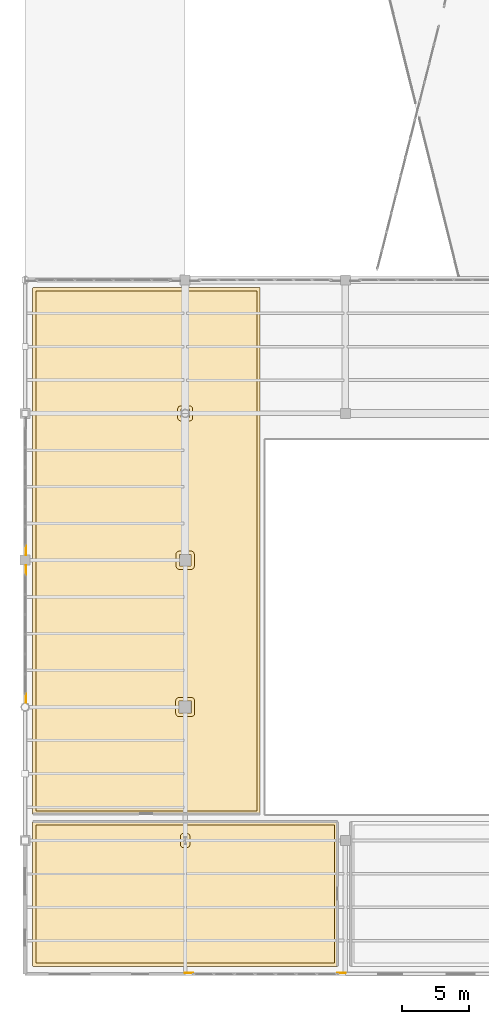
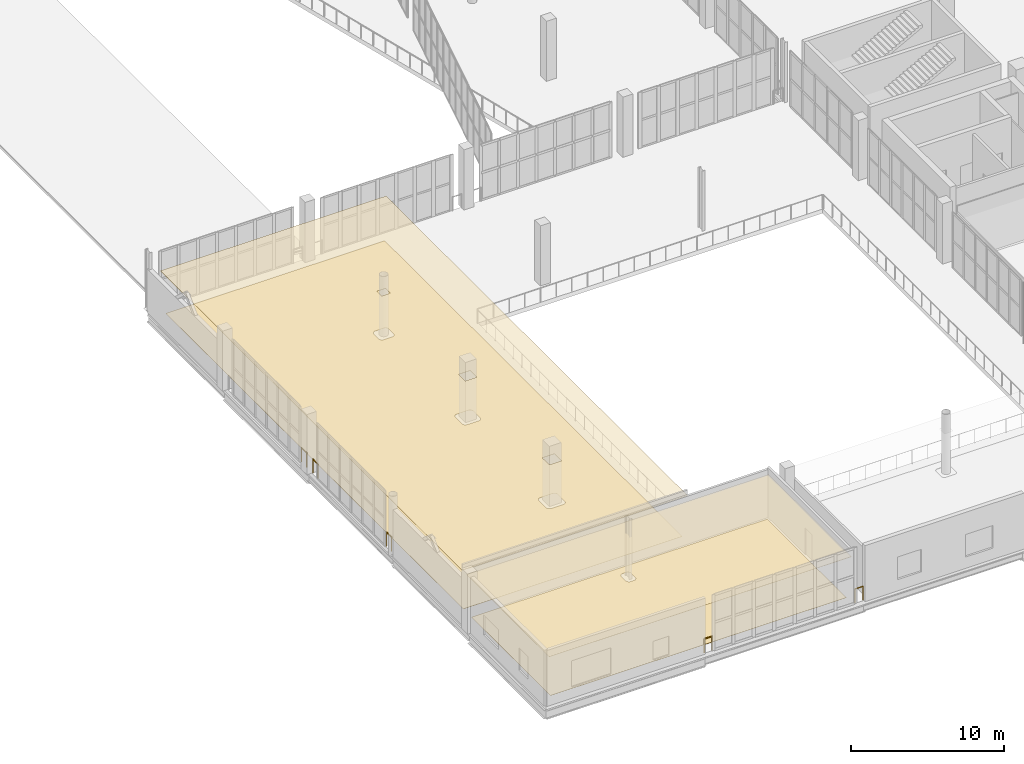
# One storey, part 120 of 136: 5 railings, 4 coverings.
"""IFC4 building model written with IfcOpenShell, lengths in metres."""

import ifcopenshell
import ifcopenshell.guid

model = None  # the IFC model being written
_history = None  # IfcOwnerHistory: only IFC2X3 demands one
_inside = {}  # id of a spatial element -> (the spatial element, [elements in it])
_under = {}  # id of a project, library or spatial element -> (it, [spatial elements below it])
_declared = {}  # id of a project -> (the project, [libraries it declares])
_typed = {}  # id of a type object -> (the type object, [elements of that type])
_made_of = {}  # id of a material, layer set ... -> (it, [elements and type objects made of it])


def new_model(schema):
    """Start an empty IFC model of exactly this schema.

    Asked for "IFC4X3", IfcOpenShell would pick the latest addendum, in which some entities
    have other attributes; the version numbers below select the first issue.
    IFC2X3 requires an IfcOwnerHistory on every rooted entity: one is made here for all.
    """
    global model, _history
    if schema == "IFC4X3":
        model = ifcopenshell.file(schema_version=(4, 3, 0, 0))
    else:
        model = ifcopenshell.file(schema=schema)
    _inside.clear()
    _under.clear()
    _declared.clear()
    _typed.clear()
    _made_of.clear()
    _history = None
    if model.schema == "IFC2X3":
        org = make("IfcOrganization", Name="unknown")
        user = make(
            "IfcPersonAndOrganization",
            ThePerson=make("IfcPerson", FamilyName="unknown"),
            TheOrganization=org,
        )
        app = make(
            "IfcApplication",
            ApplicationDeveloper=org,
            Version="unknown",
            ApplicationFullName="unknown",
            ApplicationIdentifier="unknown",
        )
        _history = make(
            "IfcOwnerHistory",
            OwningUser=user,
            OwningApplication=app,
            ChangeAction="ADDED",
            CreationDate=0,
        )
    return model


def make(cls, **values):
    """One entity of the class cls with the attributes given. An attribute that is None is left unset."""
    return model.create_entity(
        cls, **{name: value for name, value in values.items() if value is not None}
    )


def rooted(cls, **values):
    """An entity with a GlobalId (a new one), such as an element, a storey or a relation."""
    return make(cls, GlobalId=ifcopenshell.guid.new(), OwnerHistory=_history, **values)


def si_unit(unit_type, name, prefix=None):
    """IfcSIUnit, for example si_unit("LENGTHUNIT", "METRE", prefix="MILLI")."""
    return make("IfcSIUnit", UnitType=unit_type, Prefix=prefix, Name=name)


def assignment(units):
    """IfcUnitAssignment: the units of a project."""
    return None if units is None else make("IfcUnitAssignment", Units=units)


def point(xyz):
    """IfcCartesianPoint."""
    return None if xyz is None else make("IfcCartesianPoint", Coordinates=xyz)


def direction(xyz):
    """IfcDirection."""
    return None if xyz is None else make("IfcDirection", DirectionRatios=xyz)


def frame(location, z_axis=None, x_axis=None):
    """IfcAxis2Placement3D, a coordinate frame: its origin and axes. An axis left out is left unset."""
    return make(
        "IfcAxis2Placement3D",
        Location=point(location),
        Axis=direction(z_axis),
        RefDirection=direction(x_axis),
    )


def frame_2d(location, x_axis=None):
    """IfcAxis2Placement2D, a coordinate frame in the plane: its origin and x axis."""
    return make(
        "IfcAxis2Placement2D", Location=point(location), RefDirection=direction(x_axis)
    )


def origin():
    """The frame at (0, 0, 0) with its axes left unset."""
    return frame((0.0, 0.0, 0.0))


def origin_2d():
    """The frame at (0, 0) in the plane with its x axis left unset."""
    return frame_2d((0.0, 0.0))


def place(relative_to, where):
    """IfcLocalPlacement: puts the frame where relative to a parent placement (None: the world)."""
    return make(
        "IfcLocalPlacement", PlacementRelTo=relative_to, RelativePlacement=where
    )


def context(
    kind, dimensions, precision=None, world=None, true_north=None, identifier=None
):
    """IfcGeometricRepresentationContext, for example the 3D "Model" context."""
    return make(
        "IfcGeometricRepresentationContext",
        ContextIdentifier=identifier,
        ContextType=kind,
        CoordinateSpaceDimension=dimensions,
        Precision=precision,
        WorldCoordinateSystem=world,
        TrueNorth=true_north,
    )


def subcontext(parent, identifier, kind, view, scale=None):
    """IfcGeometricRepresentationSubContext, for example "Body" below "Model"."""
    return make(
        "IfcGeometricRepresentationSubContext",
        ContextIdentifier=identifier,
        ContextType=kind,
        ParentContext=parent,
        TargetScale=scale,
        TargetView=view,
    )


def project(units=None, contexts=None):
    """IfcProject with its units and contexts."""
    return rooted(
        "IfcProject",
        Name="project",
        RepresentationContexts=contexts,
        UnitsInContext=assignment(units),
    )


def spatial(cls, under=None, at=None, **own):
    """A site, building, storey or space (cls), placed at a placement, below another one or the project."""
    s = rooted(cls, ObjectPlacement=at, **own)
    if under is not None:
        _under.setdefault(under.id(), (under, []))[1].append(s)
    return s


def polyline(points):
    """IfcPolyline through the points."""
    return make("IfcPolyline", Points=[point(p) for p in points])


def profile(cls, at=None, kind="AREA", **sizes):
    """A parametric profile (cls). Its sizes go by their IFC names, for example OverallWidth=200.0."""
    return make(cls, ProfileType=kind, Position=at, **sizes)


def circle(**sizes):
    """IfcCircleProfileDef."""
    return profile("IfcCircleProfileDef", **sizes)


def outline(outer, holes=None, kind="AREA"):
    """IfcArbitraryClosedProfileDef: a profile drawn as a closed curve; with holes, ...WithVoids."""
    if holes is None:
        return make("IfcArbitraryClosedProfileDef", ProfileType=kind, OuterCurve=outer)
    return make(
        "IfcArbitraryProfileDefWithVoids",
        ProfileType=kind,
        OuterCurve=outer,
        InnerCurves=holes,
    )


def extrude(swept, where, along, depth):
    """IfcExtrudedAreaSolid: the profile swept, set in the frame where, extruded along a direction by depth."""
    return make(
        "IfcExtrudedAreaSolid",
        SweptArea=swept,
        Position=where,
        ExtrudedDirection=direction(along),
        Depth=depth,
    )


def shape(context_of_items, identifier, shape_type, items):
    """IfcShapeRepresentation: the items that make up one representation, for example the "Body"."""
    return make(
        "IfcShapeRepresentation",
        ContextOfItems=context_of_items,
        RepresentationIdentifier=identifier,
        RepresentationType=shape_type,
        Items=items,
    )


def material(Name=None, Category=None):
    """IfcMaterial."""
    return make("IfcMaterial", Name=Name, Category=Category)


def layer(
    of_material, thickness, ventilated=None, Name=None, Category=None, Priority=None
):
    """IfcMaterialLayer: one layer of a wall or slab, of a material (None: an air gap)."""
    return make(
        "IfcMaterialLayer",
        Material=of_material,
        LayerThickness=thickness,
        IsVentilated=ventilated,
        Name=Name,
        Category=Category,
        Priority=Priority,
    )


def layer_set(layers, Name=None):
    """IfcMaterialLayerSet."""
    return make("IfcMaterialLayerSet", MaterialLayers=layers, LayerSetName=Name)


def made_of(thing, what):
    """Note that an element or type object is made of a material, layer set ...; save() writes the relation."""
    if what is not None:
        _made_of.setdefault(what.id(), (what, []))[1].append(thing)
    return thing


def type_object(cls, material=None, **own):
    """A type object (cls), such as IfcWallType, which elements share."""
    return made_of(rooted(cls, **own), material)


def element(
    cls,
    number,
    at=None,
    inside=None,
    cuts=None,
    type_object=None,
    material=None,
    context=None,
    identifier="Body",
    shape_type=None,
    held_by="IfcProductDefinitionShape",
    body=None,
    shapes=None,
    **own,
):
    """One element of the class cls, such as IfcWall. Its Tag is "e" and its number.

    at: its placement. inside: the storey or other place that contains it. cuts: it is an
    opening in that element (IfcRelVoidsElement). A single representation is given by context,
    identifier, shape_type and body (its items); several are given by shapes. held_by: the class
    of the entity that holds the representations. save() writes the other relations.
    """
    e = rooted(cls, Tag="e%d" % number, ObjectPlacement=at, **own)
    if body is not None:
        shapes = [shape(context, identifier, shape_type, body)]
    if shapes is not None:
        e.Representation = make(held_by, Representations=shapes)
    if inside is not None:
        _inside.setdefault(inside.id(), (inside, []))[1].append(e)
    if cuts is not None:
        rooted(
            "IfcRelVoidsElement", RelatingBuildingElement=cuts, RelatedOpeningElement=e
        )
    if type_object is not None:
        _typed.setdefault(type_object.id(), (type_object, []))[1].append(e)
    return made_of(e, material)


def aggregate(whole, parts):
    """IfcRelAggregates: a whole, such as a stair, and the parts it consists of."""
    return rooted("IfcRelAggregates", RelatingObject=whole, RelatedObjects=parts)


def save(model, path):
    """Write the relations noted so far, then the file.

    IfcRelAggregates (storeys below a building ...), IfcRelContainedInSpatialStructure (elements
    in a storey), IfcRelDefinesByType, IfcRelAssociatesMaterial and IfcRelDeclares: one each for
    every whole, place, type object, material and project.
    """
    for whole, parts in _under.values():
        aggregate(whole, parts)
    for where, things in _inside.values():
        rooted(
            "IfcRelContainedInSpatialStructure",
            RelatedElements=things,
            RelatingStructure=where,
        )
    for kind, things in _typed.values():
        rooted("IfcRelDefinesByType", RelatedObjects=things, RelatingType=kind)
    for what, things in _made_of.values():
        rooted("IfcRelAssociatesMaterial", RelatedObjects=things, RelatingMaterial=what)
    for by, libraries in _declared.values():
        rooted("IfcRelDeclares", RelatingContext=by, RelatedDefinitions=libraries)
    model.write(path)


model = new_model("IFC4")

# Units and contexts
model_context = context("Model", 3, precision=1e-05, world=origin(), true_north=direction((0.0, 1.0)))
body_context = subcontext(model_context, "Body", "Model", "MODEL_VIEW")
ifc_project = project(units=[si_unit("LENGTHUNIT", "METRE"), si_unit("AREAUNIT", "SQUARE_METRE"), si_unit("VOLUMEUNIT", "CUBIC_METRE"), si_unit("PLANEANGLEUNIT", "RADIAN"), si_unit("MASSUNIT", "GRAM", prefix="KILO")], contexts=[model_context])

# Site, building, storey
site_placement = place(None, origin())
site = spatial("IfcSite", under=ifc_project, at=site_placement, CompositionType="ELEMENT")
building_placement = place(site_placement, origin())
building = spatial("IfcBuilding", under=site, at=building_placement, Name="Brinegate Civic Arena", CompositionType="ELEMENT")
storey_placement = place(building_placement, frame((0.0, 0.0, 5.39990234375)))
storey = spatial("IfcBuildingStorey", under=building, at=storey_placement, Name="L01", CompositionType="ELEMENT", Elevation=5.39990234375)

# Coverings
ifc_material_1 = material(Name="Acoustic perforated aluminium ceiling", Category="aluminium")
ifc_layer_1 = layer(ifc_material_1, 0.034912109375, Name="Acoustic perforated aluminium ceiling")
ifc_layer_set_1 = layer_set([ifc_layer_1], Name="Acoustic perforated aluminium ceiling")
covering_type_1 = type_object("IfcCoveringType", Name="CEILING-ACOUSTIC-35", PredefinedType="CEILING", material=ifc_layer_set_1)
covering_1_placement = place(storey_placement, frame((0.0, 0.0, 3.315185546875)))
element("IfcCovering", 1, at=covering_1_placement, inside=storey, type_object=covering_type_1, Name="Acoustic Ceiling L01-004", PredefinedType="CEILING", context=body_context, shape_type="SweptSolid", body=[
    extrude(outline(polyline([(17.60400390625, 51.419921875), (17.60595703125, 51.4189453125), (17.60791015625, 51.41796875), (17.60888671875, 51.41796875), (17.611083984375, 51.4169921875), (17.613037109375, 51.4150390625), (17.614013671875, 51.4140625), (17.614990234375, 51.4130859375), (17.616943359375, 51.410888671875), (17.617919921875, 51.408935546875), (17.617919921875, 51.407958984375), (17.618896484375, 51.406005859375), (17.6201171875, 51.404052734375), (17.6201171875, 51.402099609375), (17.6201171875, 51.39990234375), (17.6201171875, 12.0), (17.6201171875, 11.998046875), (17.6201171875, 11.99609375), (17.618896484375, 11.993896484375), (17.617919921875, 11.991943359375), (17.617919921875, 11.990966796875), (17.616943359375, 11.989013671875), (17.614990234375, 11.987060546875), (17.614013671875, 11.986083984375), (17.613037109375, 11.985107421875), (17.611083984375, 11.98291015625), (17.60888671875, 11.98193359375), (17.60791015625, 11.98193359375), (17.60595703125, 11.98095703125), (17.60400390625, 11.97998046875), (17.60205078125, 11.97998046875), (17.60009765625, 11.97998046875), (0.60009765625, 11.97998046875), (0.597900390625, 11.97998046875), (0.595947265625, 11.97998046875), (0.593994140625, 11.98095703125), (0.592041015625, 11.98193359375), (0.591064453125, 11.98193359375), (0.589111328125, 11.98291015625), (0.5869140625, 11.985107421875), (0.5859375, 11.986083984375), (0.5849609375, 11.987060546875), (0.5830078125, 11.989013671875), (0.58203125, 11.990966796875), (0.58203125, 11.991943359375), (0.5810546875, 11.993896484375), (0.580078125, 11.99609375), (0.580078125, 11.998046875), (0.580078125, 12.0), (0.580078125, 51.39990234375), (0.580078125, 51.402099609375), (0.580078125, 51.404052734375), (0.5810546875, 51.406005859375), (0.58203125, 51.407958984375), (0.58203125, 51.408935546875), (0.5830078125, 51.410888671875), (0.5849609375, 51.4130859375), (0.5859375, 51.4140625), (0.5869140625, 51.4150390625), (0.589111328125, 51.4169921875), (0.591064453125, 51.41796875), (0.592041015625, 51.41796875), (0.593994140625, 51.4189453125), (0.595947265625, 51.419921875), (0.597900390625, 51.419921875), (0.60009765625, 51.419921875), (17.60009765625, 51.419921875), (17.60205078125, 51.419921875), (17.60400390625, 51.419921875)]), holes=[polyline([(12.4599609375, 20.4599609375), (11.5400390625, 20.4599609375), (11.5400390625, 19.5400390625), (12.4599609375, 19.5400390625), (12.4599609375, 20.4599609375)]), polyline([(12.43505859375, 31.43505859375), (11.56494140625, 31.43505859375), (11.56494140625, 30.56494140625), (12.43505859375, 30.56494140625), (12.43505859375, 31.43505859375)]), polyline([(11.68505859375, 42.31494140625), (11.68505859375, 41.68505859375), (12.31494140625, 41.68505859375), (12.31494140625, 42.31494140625), (11.68505859375, 42.31494140625)])]), origin(), (0.0, 0.0, 1.0), 0.034912109375),
])
ifc_layer_2 = layer(ifc_material_1, 0.01806640625, Name="Acoustic perforated aluminium ceiling")
ifc_layer_set_2 = layer_set([ifc_layer_2], Name="Acoustic perforated aluminium ceiling")
covering_type_2 = type_object("IfcCoveringType", Name="CEILING-MOISTURE-18", PredefinedType="CEILING", material=ifc_layer_set_2)
covering_2_placement = place(storey_placement, frame((0.0, 0.0, 3.33203125)))
element("IfcCovering", 2, at=covering_2_placement, inside=storey, type_object=covering_type_2, Name="Acoustic Ceiling L01-002", PredefinedType="CEILING", context=body_context, shape_type="SweptSolid", body=[
    extrude(outline(polyline([(23.402099609375, 11.419921875), (23.404052734375, 11.419921875), (23.406005859375, 11.4189453125), (23.407958984375, 11.41796875), (23.408935546875, 11.41796875), (23.410888671875, 11.4169921875), (23.4130859375, 11.4150390625), (23.4140625, 11.4140625), (23.4150390625, 11.4130859375), (23.4169921875, 11.410888671875), (23.41796875, 11.408935546875), (23.41796875, 11.407958984375), (23.4189453125, 11.406005859375), (23.419921875, 11.404052734375), (23.419921875, 11.402099609375), (23.419921875, 11.39990234375), (23.419921875, 0.60009765625), (23.419921875, 0.597900390625), (23.419921875, 0.595947265625), (23.4189453125, 0.593994140625), (23.41796875, 0.592041015625), (23.41796875, 0.591064453125), (23.4169921875, 0.589111328125), (23.4150390625, 0.5869140625), (23.4140625, 0.5859375), (23.4130859375, 0.5849609375), (23.410888671875, 0.5830078125), (23.408935546875, 0.58203125), (23.407958984375, 0.58203125), (23.406005859375, 0.5810546875), (23.404052734375, 0.580078125), (23.402099609375, 0.580078125), (23.39990234375, 0.580078125), (0.60009765625, 0.580078125), (0.597900390625, 0.580078125), (0.595947265625, 0.580078125), (0.593994140625, 0.5810546875), (0.592041015625, 0.58203125), (0.591064453125, 0.58203125), (0.589111328125, 0.5830078125), (0.5869140625, 0.5849609375), (0.5859375, 0.5859375), (0.5849609375, 0.5869140625), (0.5830078125, 0.589111328125), (0.58203125, 0.591064453125), (0.58203125, 0.592041015625), (0.5810546875, 0.593994140625), (0.580078125, 0.595947265625), (0.580078125, 0.597900390625), (0.580078125, 0.60009765625), (0.580078125, 11.39990234375), (0.580078125, 11.402099609375), (0.580078125, 11.404052734375), (0.5810546875, 11.406005859375), (0.58203125, 11.407958984375), (0.58203125, 11.408935546875), (0.5830078125, 11.410888671875), (0.5849609375, 11.4130859375), (0.5859375, 11.4140625), (0.5869140625, 11.4150390625), (0.589111328125, 11.4169921875), (0.591064453125, 11.41796875), (0.592041015625, 11.41796875), (0.593994140625, 11.4189453125), (0.595947265625, 11.419921875), (0.597900390625, 11.419921875), (0.60009765625, 11.419921875), (23.39990234375, 11.419921875), (23.402099609375, 11.419921875)])), origin(), (0.0, 0.0, 1.0), 0.01806640625),
])
ifc_material_2 = material(Name="Polished coral terrazzo flooring")
ifc_layer_3 = layer(ifc_material_2, 0.013916015625, Name="Polished coral terrazzo flooring")
ifc_layer_set_3 = layer_set([ifc_layer_3], Name="Polished coral terrazzo flooring")
covering_type_3 = type_object("IfcCoveringType", Name="FLOORING-ACOUSTIC-14", PredefinedType="FLOORING", material=ifc_layer_set_3)
covering_3_placement = place(storey_placement, origin())
element("IfcCovering", 3, at=covering_3_placement, inside=storey, type_object=covering_type_3, Name="Flooring L01-002", PredefinedType="FLOORING", context=body_context, shape_type="SweptSolid", body=[
    extrude(outline(polyline([(0.830078125, 11.169921875), (23.169921875, 11.169921875), (23.169921875, 0.830078125), (0.830078125, 0.830078125), (0.830078125, 11.169921875)]), holes=[polyline([(12.115966796875, 9.468017578125), (12.14111328125, 9.468994140625), (12.1650390625, 9.472900390625), (12.18896484375, 9.47900390625), (12.2119140625, 9.487060546875), (12.23388671875, 9.498046875), (12.2548828125, 9.510009765625), (12.27490234375, 9.52490234375), (12.29296875, 9.541015625), (12.30908203125, 9.55908203125), (12.323974609375, 9.5791015625), (12.3359375, 9.60009765625), (12.346923828125, 9.6220703125), (12.35498046875, 9.64501953125), (12.361083984375, 9.6689453125), (12.364990234375, 9.693115234375), (12.365966796875, 9.718017578125), (12.365966796875, 10.281982421875), (12.364990234375, 10.306884765625), (12.361083984375, 10.3310546875), (12.35498046875, 10.35498046875), (12.346923828125, 10.3779296875), (12.3359375, 10.39990234375), (12.323974609375, 10.4208984375), (12.30908203125, 10.44091796875), (12.29296875, 10.458984375), (12.27490234375, 10.47509765625), (12.2548828125, 10.489990234375), (12.23388671875, 10.501953125), (12.2119140625, 10.512939453125), (12.18896484375, 10.52099609375), (12.1650390625, 10.527099609375), (12.14111328125, 10.531005859375), (12.115966796875, 10.531982421875), (11.884033203125, 10.531982421875), (11.85888671875, 10.531005859375), (11.8349609375, 10.527099609375), (11.81103515625, 10.52099609375), (11.7880859375, 10.512939453125), (11.76611328125, 10.501953125), (11.7451171875, 10.489990234375), (11.72509765625, 10.47509765625), (11.70703125, 10.458984375), (11.69091796875, 10.44091796875), (11.676025390625, 10.4208984375), (11.6640625, 10.39990234375), (11.653076171875, 10.3779296875), (11.64501953125, 10.35498046875), (11.638916015625, 10.3310546875), (11.635009765625, 10.306884765625), (11.634033203125, 10.281982421875), (11.634033203125, 9.718017578125), (11.635009765625, 9.693115234375), (11.638916015625, 9.6689453125), (11.64501953125, 9.64501953125), (11.653076171875, 9.6220703125), (11.6640625, 9.60009765625), (11.676025390625, 9.5791015625), (11.69091796875, 9.55908203125), (11.70703125, 9.541015625), (11.72509765625, 9.52490234375), (11.7451171875, 9.510009765625), (11.76611328125, 9.498046875), (11.7880859375, 9.487060546875), (11.81103515625, 9.47900390625), (11.8349609375, 9.472900390625), (11.85888671875, 9.468994140625), (11.884033203125, 9.468017578125), (12.115966796875, 9.468017578125)])]), origin(), (0.0, 0.0, 1.0), 0.01416015625),
])
covering_4_placement = place(storey_placement, origin())
element("IfcCovering", 4, at=covering_4_placement, inside=storey, type_object=covering_type_3, Name="Flooring L01-004", PredefinedType="FLOORING", context=body_context, shape_type="SweptSolid", body=[
    extrude(outline(polyline([(0.830078125, 12.22998046875), (0.830078125, 51.169921875), (17.3701171875, 51.169921875), (17.3701171875, 12.22998046875), (0.830078125, 12.22998046875)]), holes=[polyline([(12.7099609375, 20.4599609375), (12.708984375, 20.485107421875), (12.705078125, 20.509033203125), (12.698974609375, 20.532958984375), (12.69091796875, 20.555908203125), (12.679931640625, 20.577880859375), (12.66796875, 20.59912109375), (12.653076171875, 20.618896484375), (12.636962890625, 20.636962890625), (12.618896484375, 20.653076171875), (12.59912109375, 20.66796875), (12.577880859375, 20.679931640625), (12.555908203125, 20.69091796875), (12.532958984375, 20.698974609375), (12.509033203125, 20.705078125), (12.485107421875, 20.708984375), (12.4599609375, 20.7099609375), (11.5400390625, 20.7099609375), (11.514892578125, 20.708984375), (11.490966796875, 20.705078125), (11.467041015625, 20.698974609375), (11.444091796875, 20.69091796875), (11.422119140625, 20.679931640625), (11.40087890625, 20.66796875), (11.381103515625, 20.653076171875), (11.363037109375, 20.636962890625), (11.346923828125, 20.618896484375), (11.33203125, 20.59912109375), (11.320068359375, 20.577880859375), (11.30908203125, 20.555908203125), (11.301025390625, 20.532958984375), (11.294921875, 20.509033203125), (11.291015625, 20.485107421875), (11.2900390625, 20.4599609375), (11.2900390625, 19.5400390625), (11.291015625, 19.514892578125), (11.294921875, 19.490966796875), (11.301025390625, 19.467041015625), (11.30908203125, 19.444091796875), (11.320068359375, 19.422119140625), (11.33203125, 19.40087890625), (11.346923828125, 19.381103515625), (11.363037109375, 19.363037109375), (11.381103515625, 19.346923828125), (11.40087890625, 19.33203125), (11.422119140625, 19.320068359375), (11.444091796875, 19.30908203125), (11.467041015625, 19.301025390625), (11.490966796875, 19.294921875), (11.514892578125, 19.291015625), (11.5400390625, 19.2900390625), (12.4599609375, 19.2900390625), (12.485107421875, 19.291015625), (12.509033203125, 19.294921875), (12.532958984375, 19.301025390625), (12.555908203125, 19.30908203125), (12.577880859375, 19.320068359375), (12.59912109375, 19.33203125), (12.618896484375, 19.346923828125), (12.636962890625, 19.363037109375), (12.653076171875, 19.381103515625), (12.66796875, 19.40087890625), (12.679931640625, 19.422119140625), (12.69091796875, 19.444091796875), (12.698974609375, 19.467041015625), (12.705078125, 19.490966796875), (12.708984375, 19.514892578125), (12.7099609375, 19.5400390625), (12.7099609375, 20.4599609375)]), polyline([(12.68505859375, 31.43505859375), (12.68408203125, 31.4599609375), (12.679931640625, 31.48388671875), (12.674072265625, 31.508056640625), (12.666015625, 31.531005859375), (12.655029296875, 31.552978515625), (12.64306640625, 31.573974609375), (12.6279296875, 31.593994140625), (12.612060546875, 31.612060546875), (12.593994140625, 31.6279296875), (12.573974609375, 31.64306640625), (12.552978515625, 31.655029296875), (12.531005859375, 31.666015625), (12.508056640625, 31.674072265625), (12.48388671875, 31.679931640625), (12.4599609375, 31.68408203125), (12.43505859375, 31.68505859375), (11.56494140625, 31.68505859375), (11.5400390625, 31.68408203125), (11.51611328125, 31.679931640625), (11.491943359375, 31.674072265625), (11.468994140625, 31.666015625), (11.447021484375, 31.655029296875), (11.426025390625, 31.64306640625), (11.406005859375, 31.6279296875), (11.387939453125, 31.612060546875), (11.3720703125, 31.593994140625), (11.35693359375, 31.573974609375), (11.344970703125, 31.552978515625), (11.333984375, 31.531005859375), (11.325927734375, 31.508056640625), (11.320068359375, 31.48388671875), (11.31591796875, 31.4599609375), (11.31494140625, 31.43505859375), (11.31494140625, 30.56494140625), (11.31591796875, 30.5400390625), (11.320068359375, 30.51611328125), (11.325927734375, 30.491943359375), (11.333984375, 30.468994140625), (11.344970703125, 30.447021484375), (11.35693359375, 30.426025390625), (11.3720703125, 30.406005859375), (11.387939453125, 30.387939453125), (11.406005859375, 30.3720703125), (11.426025390625, 30.35693359375), (11.447021484375, 30.344970703125), (11.468994140625, 30.333984375), (11.491943359375, 30.325927734375), (11.51611328125, 30.320068359375), (11.5400390625, 30.31591796875), (11.56494140625, 30.31494140625), (12.43505859375, 30.31494140625), (12.4599609375, 30.31591796875), (12.48388671875, 30.320068359375), (12.508056640625, 30.325927734375), (12.531005859375, 30.333984375), (12.552978515625, 30.344970703125), (12.573974609375, 30.35693359375), (12.593994140625, 30.3720703125), (12.612060546875, 30.387939453125), (12.6279296875, 30.406005859375), (12.64306640625, 30.426025390625), (12.655029296875, 30.447021484375), (12.666015625, 30.468994140625), (12.674072265625, 30.491943359375), (12.679931640625, 30.51611328125), (12.68408203125, 30.5400390625), (12.68505859375, 30.56494140625), (12.68505859375, 31.43505859375)]), polyline([(11.68505859375, 42.56494140625), (11.659912109375, 42.56396484375), (11.635986328125, 42.56005859375), (11.612060546875, 42.553955078125), (11.589111328125, 42.5458984375), (11.56689453125, 42.534912109375), (11.5458984375, 42.52294921875), (11.52587890625, 42.508056640625), (11.508056640625, 42.491943359375), (11.491943359375, 42.47412109375), (11.47705078125, 42.4541015625), (11.465087890625, 42.43310546875), (11.4541015625, 42.410888671875), (11.446044921875, 42.387939453125), (11.43994140625, 42.364013671875), (11.43603515625, 42.340087890625), (11.43505859375, 42.31494140625), (11.43505859375, 41.68505859375), (11.43603515625, 41.659912109375), (11.43994140625, 41.635986328125), (11.446044921875, 41.612060546875), (11.4541015625, 41.589111328125), (11.465087890625, 41.56689453125), (11.47705078125, 41.5458984375), (11.491943359375, 41.52587890625), (11.508056640625, 41.508056640625), (11.52587890625, 41.491943359375), (11.5458984375, 41.47705078125), (11.56689453125, 41.465087890625), (11.589111328125, 41.4541015625), (11.612060546875, 41.446044921875), (11.635986328125, 41.43994140625), (11.659912109375, 41.43603515625), (11.68505859375, 41.43505859375), (12.31494140625, 41.43505859375), (12.340087890625, 41.43603515625), (12.364013671875, 41.43994140625), (12.387939453125, 41.446044921875), (12.410888671875, 41.4541015625), (12.43310546875, 41.465087890625), (12.4541015625, 41.47705078125), (12.47412109375, 41.491943359375), (12.491943359375, 41.508056640625), (12.508056640625, 41.52587890625), (12.52294921875, 41.5458984375), (12.534912109375, 41.56689453125), (12.5458984375, 41.589111328125), (12.553955078125, 41.612060546875), (12.56005859375, 41.635986328125), (12.56396484375, 41.659912109375), (12.56494140625, 41.68505859375), (12.56494140625, 42.31494140625), (12.56396484375, 42.340087890625), (12.56005859375, 42.364013671875), (12.553955078125, 42.387939453125), (12.5458984375, 42.410888671875), (12.534912109375, 42.43310546875), (12.52294921875, 42.4541015625), (12.508056640625, 42.47412109375), (12.491943359375, 42.491943359375), (12.47412109375, 42.508056640625), (12.4541015625, 42.52294921875), (12.43310546875, 42.534912109375), (12.410888671875, 42.5458984375), (12.387939453125, 42.553955078125), (12.364013671875, 42.56005859375), (12.340087890625, 42.56396484375), (12.31494140625, 42.56494140625), (11.68505859375, 42.56494140625)])]), origin(), (0.0, 0.0, 1.0), 0.01416015625),
])

# Railings
ifc_material_3 = material(Name="Architectural stainless steel balustrade", Category="steel")
railing_type = type_object("IfcRailingType", Name="RAIL-VOID-BALUSTRADE-1120", PredefinedType="BALUSTRADE", material=ifc_material_3)
for number, where, name in (
    (5, (24.0, 0.070068359375, 0.0), "Deck Edge Balustrade L01-086"),
    (6, (12.60009765625, 0.070068359375, 0.0), "Deck Edge Balustrade L01-087"),
):
    element("IfcRailing", number, at=place(storey_placement, frame(where)), inside=storey, type_object=railing_type, Name=name, PredefinedType="BALUSTRADE", context=body_context, shape_type="SweptSolid", body=[
        extrude(circle(Radius=0.02392578125, at=origin_2d()), frame((-0.00146484375, 0.0, 1.09619140625), z_axis=(-1.0, 0.0, 0.0), x_axis=(0.0, -1.0, 0.0)), (0.0, 0.0, 1.0), 0.59716796875),
        extrude(circle(Radius=0.02099609375, at=origin_2d()), origin(), (0.0, 0.0, 1.0), 1.070068359375),
        extrude(circle(Radius=0.02099609375, at=origin_2d()), frame((-0.60009765625, 0.0, 0.0)), (0.0, 0.0, 1.0), 1.070068359375),
    ])
railing_placement = place(storey_placement, frame((0.070068359375, 20.324951171875, 0.0)))
element("IfcRailing", 7, at=railing_placement, inside=storey, type_object=railing_type, Name="Deck Edge Balustrade L01-088", PredefinedType="BALUSTRADE", context=body_context, shape_type="SweptSolid", body=[
    extrude(circle(Radius=0.02392578125, at=origin_2d()), frame((0.0, 0.00146484375, 1.09619140625), z_axis=(0.0, 1.0, 0.0), x_axis=(-1.0, 0.0, 0.0)), (0.0, 0.0, 1.0), 0.653076171875),
    extrude(circle(Radius=0.02099609375, at=origin_2d()), origin(), (0.0, 0.0, 1.0), 1.070068359375),
    extrude(circle(Radius=0.02099609375, at=origin_2d()), frame((0.0, 0.656005859375, 0.0)), (0.0, 0.0, 1.0), 1.070068359375),
])
for number, where, name in (
    (8, (0.070068359375, 29.919921875, 0.0), "Deck Edge Balustrade L01-089"),
    (9, (0.070068359375, 31.39501953125, 0.0), "Deck Edge Balustrade L01-090"),
):
    element("IfcRailing", number, at=place(storey_placement, frame(where)), inside=storey, type_object=railing_type, Name=name, PredefinedType="BALUSTRADE", context=body_context, shape_type="SweptSolid", body=[
        extrude(circle(Radius=0.02392578125, at=origin_2d()), frame((0.0, 0.00146484375, 1.09619140625), z_axis=(0.0, 1.0, 0.0), x_axis=(-1.0, 0.0, 0.0)), (0.0, 0.0, 1.0), 0.68212890625),
        extrude(circle(Radius=0.02099609375, at=origin_2d()), origin(), (0.0, 0.0, 1.0), 1.070068359375),
        extrude(circle(Radius=0.02099609375, at=origin_2d()), frame((0.0, 0.68505859375, 0.0)), (0.0, 0.0, 1.0), 1.070068359375),
    ])

save(model, "model.ifc")
